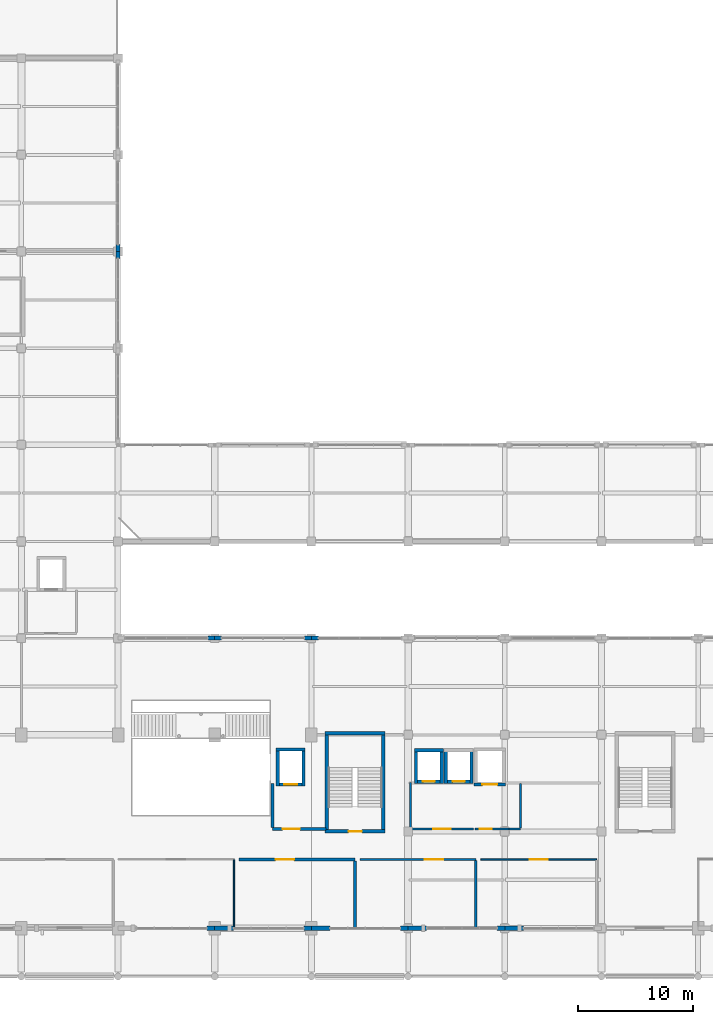
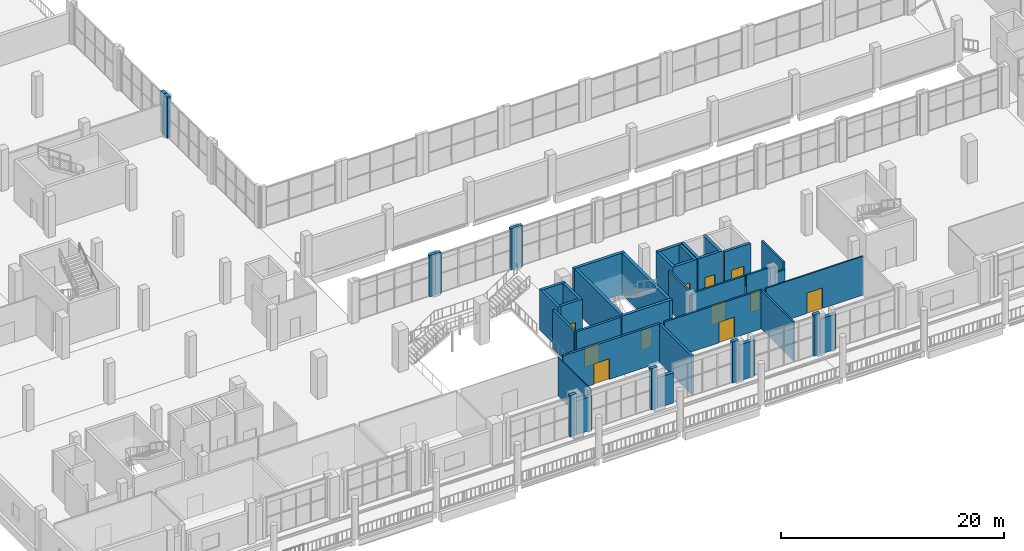
# One storey, part 59 of 75: 43 walls, 11 doors, 11 openings.
"""IFC4 building model written with IfcOpenShell, lengths in metres."""

from ifc_helpers import new_model, si_unit, derived_unit, direction, frame, frame_2d, origin, place, context, subcontext, project, spatial, rectangle, extrude, material, layer, layer_set, type_object, element, fill, save


model = new_model("IFC4")

# Units and contexts
model_context = context("Model", 3, precision=1e-05, world=origin(), true_north=direction((0.0, 1.0)))
body_context = subcontext(model_context, "Body", "Model", "MODEL_VIEW")
ifc_project = project(units=[si_unit("LENGTHUNIT", "METRE"), si_unit("AREAUNIT", "SQUARE_METRE"), si_unit("VOLUMEUNIT", "CUBIC_METRE"), si_unit("PLANEANGLEUNIT", "RADIAN"), si_unit("MASSUNIT", "GRAM", prefix="KILO"), derived_unit("THERMALTRANSMITTANCEUNIT", [(si_unit("POWERUNIT", "WATT"), 1), (si_unit("LENGTHUNIT", "METRE"), -2), (si_unit("THERMODYNAMICTEMPERATUREUNIT", "KELVIN"), -1)])], contexts=[model_context])

# Site, building, storey
site_placement = place(None, origin())
site = spatial("IfcSite", under=ifc_project, at=site_placement, CompositionType="ELEMENT")
building_placement = place(site_placement, origin())
building = spatial("IfcBuilding", under=site, at=building_placement, Name="Barrovel Congress Hotel", CompositionType="ELEMENT")
storey_placement = place(building_placement, frame((0.0, 0.0, 5.39990234375)))
storey = spatial("IfcBuildingStorey", under=building, at=storey_placement, Name="L01", CompositionType="ELEMENT", Elevation=5.39990234375)

# Walls
ifc_material_1 = material(Name="Fired Clay Brick Masonry", Category="masonry")
ifc_layer_1 = layer(ifc_material_1, 0.340087890625)
ifc_layer_set_1 = layer_set([ifc_layer_1], Name="Fired Clay Brick Masonry")
wall_type_1 = type_object("IfcWallType", Name="EW-BRK340", PredefinedType="STANDARD", material=ifc_layer_set_1)
wall_1_placement = place(storey_placement, frame((76.199951171875, 29.39990234375, 0.0), z_axis=(0.0, 0.0, 1.0), x_axis=(-1.0, 0.0, 0.0)))
element("IfcWall", 1, at=wall_1_placement, inside=storey, type_object=wall_type_1, Name="EW:L01:CSJ-L:9", PredefinedType="STANDARD", context=body_context, shape_type="SweptSolid", body=[
    extrude(rectangle(XDim=0.599853515625, YDim=0.340087890625, at=frame_2d((0.2998046875, 0.0))), origin(), (0.0, 0.0, 1.0), 4.5),
])
for number, where, z_axis, x_axis, name in (
    (2, (75.60009765625, 29.39990234375, 0.0), (0.0, 0.0, 1.0), (-1.0, 0.0, 0.0), "EW:L01:CSJ-R:8"),
    (3, (67.800048828125, 29.39990234375, 0.0), (0.0, 0.0, 1.0), (-1.0, 0.0, 0.0), "EW:L01:CSJ-L:8"),
):
    element("IfcWall", number, at=place(storey_placement, frame(where, z_axis=z_axis, x_axis=x_axis)), inside=storey, type_object=wall_type_1, Name=name, PredefinedType="STANDARD", context=body_context, shape_type="SweptSolid", body=[
        extrude(rectangle(XDim=0.60009765625, YDim=0.340087890625, at=frame_2d((0.300048828125, 0.0))), origin(), (0.0, 0.0, 1.0), 4.5),
    ])
wall_2_placement = place(storey_placement, frame((67.199951171875, 29.39990234375, 0.0), z_axis=(0.0, 0.0, 1.0), x_axis=(-1.0, 0.0, 0.0)))
element("IfcWall", 4, at=wall_2_placement, inside=storey, type_object=wall_type_1, Name="EW:L01:CSJ-R:7", PredefinedType="STANDARD", context=body_context, shape_type="SweptSolid", body=[
    extrude(rectangle(XDim=0.599853515625, YDim=0.340087890625, at=frame_2d((0.2998046875, 0.0))), origin(), (0.0, 0.0, 1.0), 4.5),
])
for number, where, z_axis, x_axis, name in (
    (5, (58.800048828125, 62.39990234375, 0.0), (0.0, 0.0, 1.0), (0.0, 1.0, 0.0), "EW:L01:CWJ-B:54.6"),
    (6, (58.800048828125, 63.0, 0.0), (0.0, 0.0, 1.0), (0.0, 1.0, 0.0), "EW:L01:CWJ-A:63.0"),
):
    element("IfcWall", number, at=place(storey_placement, frame(where, z_axis=z_axis, x_axis=x_axis)), inside=storey, type_object=wall_type_1, Name=name, PredefinedType="STANDARD", context=body_context, shape_type="SweptSolid", body=[
        extrude(rectangle(XDim=0.60009765625, YDim=0.340087890625, at=frame_2d((0.300048828125, 0.0))), origin(), (0.0, 0.0, 1.0), 4.5),
    ])
ifc_layer_2 = layer(ifc_material_1, 0.360107421875)
ifc_layer_set_2 = layer_set([ifc_layer_2], Name="Fired Clay Brick Masonry")
wall_type_2 = type_object("IfcWallType", Name="EW-BRK360", PredefinedType="STANDARD", material=ifc_layer_set_2)
wall_3_placement = place(storey_placement, frame((66.5400390625, 4.199951171875, 0.0), z_axis=(0.0, 0.0, 1.0), x_axis=(1.0, 0.0, 0.0)))
element("IfcWall", 7, at=wall_3_placement, inside=storey, type_object=wall_type_2, Name="EW:L01:SJ-R:7", PredefinedType="STANDARD", context=body_context, shape_type="SweptSolid", body=[
    extrude(rectangle(XDim=0.659912109375, YDim=0.360107421875, at=frame_2d((0.330078125, 0.0))), origin(), (0.0, 0.0, 1.0), 4.5),
])
wall_4_placement = place(storey_placement, frame((67.199951171875, 4.199951171875, 0.0), z_axis=(0.0, 0.0, 1.0), x_axis=(1.0, 0.0, 0.0)))
element("IfcWall", 8, at=wall_4_placement, inside=storey, type_object=wall_type_2, Name="EW:L01:SJ-L:8", PredefinedType="STANDARD", context=body_context, shape_type="SweptSolid", body=[
    extrude(rectangle(XDim=1.6201171875, YDim=0.360107421875, at=frame_2d((0.81005859375, 0.0))), origin(), (0.0, 0.0, 1.0), 3.711181640625),
])
wall_5_placement = place(storey_placement, frame((74.93994140625, 4.199951171875, 0.0), z_axis=(0.0, 0.0, 1.0), x_axis=(1.0, 0.0, 0.0)))
element("IfcWall", 9, at=wall_5_placement, inside=storey, type_object=wall_type_2, Name="EW:L01:SJ-R:8", PredefinedType="STANDARD", context=body_context, shape_type="SweptSolid", body=[
    extrude(rectangle(XDim=0.66015625, YDim=0.360107421875, at=frame_2d((0.330078125, 0.0))), origin(), (0.0, 0.0, 1.0), 4.5),
])
wall_6_placement = place(storey_placement, frame((75.60009765625, 4.199951171875, 0.0), z_axis=(0.0, 0.0, 1.0), x_axis=(1.0, 0.0, 0.0)))
element("IfcWall", 10, at=wall_6_placement, inside=storey, type_object=wall_type_2, Name="EW:L01:SJ-L:9", PredefinedType="STANDARD", context=body_context, shape_type="SweptSolid", body=[
    extrude(rectangle(XDim=1.619873046875, YDim=0.360107421875, at=frame_2d((0.81005859375, 0.0))), origin(), (0.0, 0.0, 1.0), 3.2900390625),
])
wall_7_placement = place(storey_placement, frame((83.340087890625, 4.199951171875, 0.0), z_axis=(0.0, 0.0, 1.0), x_axis=(1.0, 0.0, 0.0)))
element("IfcWall", 11, at=wall_7_placement, inside=storey, type_object=wall_type_2, Name="EW:L01:SJ-R:9", PredefinedType="STANDARD", context=body_context, shape_type="SweptSolid", body=[
    extrude(rectangle(XDim=0.659912109375, YDim=0.360107421875, at=frame_2d((0.330078125, 0.0))), origin(), (0.0, 0.0, 1.0), 4.5),
])
wall_8_placement = place(storey_placement, frame((84.0, 4.199951171875, 0.0), z_axis=(0.0, 0.0, 1.0), x_axis=(1.0, 0.0, 0.0)))
element("IfcWall", 12, at=wall_8_placement, inside=storey, type_object=wall_type_2, Name="EW:L01:SJ-L:10", PredefinedType="STANDARD", context=body_context, shape_type="SweptSolid", body=[
    extrude(rectangle(XDim=1.6201171875, YDim=0.360107421875, at=frame_2d((0.81005859375, 0.0))), origin(), (0.0, 0.0, 1.0), 3.93017578125),
])
wall_9_placement = place(storey_placement, frame((91.739990234375, 4.199951171875, 0.0), z_axis=(0.0, 0.0, 1.0), x_axis=(1.0, 0.0, 0.0)))
element("IfcWall", 13, at=wall_9_placement, inside=storey, type_object=wall_type_2, Name="EW:L01:SJ-R:10", PredefinedType="STANDARD", context=body_context, shape_type="SweptSolid", body=[
    extrude(rectangle(XDim=0.659912109375, YDim=0.360107421875, at=frame_2d((0.330078125, 0.0))), origin(), (0.0, 0.0, 1.0), 4.5),
])
wall_10_placement = place(storey_placement, frame((92.39990234375, 4.199951171875, 0.0), z_axis=(0.0, 0.0, 1.0), x_axis=(1.0, 0.0, 0.0)))
element("IfcWall", 14, at=wall_10_placement, inside=storey, type_object=wall_type_2, Name="EW:L01:SJ-L:11", PredefinedType="STANDARD", context=body_context, shape_type="SweptSolid", body=[
    extrude(rectangle(XDim=1.6201171875, YDim=0.360107421875, at=frame_2d((0.81005859375, 0.0))), origin(), (0.0, 0.0, 1.0), 3.830078125),
])

# Wall, opening, door
ifc_material_2 = material(Name="Gypsum Acoustic Stud", Category="gypsum")
ifc_layer_3 = layer(ifc_material_2, 0.179931640625)
ifc_layer_set_3 = layer_set([ifc_layer_3], Name="Gypsum Acoustic Stud")
wall_type_3 = type_object("IfcWallType", Name="PW-ACU-180", PredefinedType="PARTITIONING", material=ifc_layer_set_3)
wall_11_placement = place(storey_placement, frame((84.219970703125, 12.820068359375, 0.0), z_axis=(0.0, 0.0, 1.0), x_axis=(1.0, 0.0, 0.0)))
wall_11 = element("IfcWall", 15, at=wall_11_placement, inside=storey, type_object=wall_type_3, Name="RW:SP:L01:LL-C2:S", PredefinedType="PARTITIONING", context=body_context, shape_type="SweptSolid", body=[
    extrude(rectangle(XDim=5.4599609375, YDim=0.179931640625, at=frame_2d((2.72998046875, 0.0))), origin(), (0.0, 0.0, 1.0), 4.235107421875),
])
opening_1_placement = place(wall_11_placement, frame((1.97998046875, 0.0, 0.0)))
opening_1 = element("IfcOpeningElement", 16, at=opening_1_placement, cuts=wall_11, Name="Opening ID-FFL", PredefinedType="OPENING", context=body_context, shape_type="SweptSolid", body=[
    extrude(rectangle(XDim=1.5, YDim=2.14990234375, at=frame_2d((0.75, 1.074951171875))), frame((0.0, 0.10009765625, 0.0), z_axis=(0.0, -1.0, 0.0), x_axis=(1.0, 0.0, 0.0)), (0.0, 0.0, 1.0), 0.199951171875),
])
ifc_material_3 = material(Name="Painted Hollow-Metal Steel Door", Category="steel")
door_type_1 = type_object("IfcDoorType", Name="IDR-ID-FFL", OperationType="NOTDEFINED", PredefinedType="DOOR", material=ifc_material_3)
door_1_placement = place(opening_1_placement, origin())
door_1 = element("IfcDoor", 17, at=door_1_placement, inside=storey, type_object=door_type_1, Name="RD:SP:L01:LL-C2", OperationType="DOUBLE_DOOR_SINGLE_SWING", OverallHeight=2.14990234375, OverallWidth=1.5, PredefinedType="DOOR", context=body_context, shape_type="SweptSolid", body=[
    extrude(rectangle(XDim=1.5, YDim=2.14990234375, at=frame_2d((0.75, 1.074951171875))), frame((0.0, 0.02490234375, 0.0), z_axis=(0.0, -1.0, 0.0), x_axis=(1.0, 0.0, 0.0)), (0.0, 0.0, 1.0), 0.050048828125),
])
fill(opening_1, door_1)

# Wall
wall_12_placement = place(storey_placement, frame((84.219970703125, 12.909912109375, 0.0), z_axis=(0.0, 0.0, 1.0), x_axis=(0.0, 1.0, 0.0)))
element("IfcWall", 18, at=wall_12_placement, inside=storey, type_object=wall_type_3, Name="RW:SP:L01:LL-C2:W", PredefinedType="PARTITIONING", context=body_context, shape_type="SweptSolid", body=[
    extrude(rectangle(XDim=3.969970703125, YDim=0.179931640625, at=frame_2d((1.98486328125, 0.0))), origin(), (0.0, 0.0, 1.0), 4.235107421875),
])

# Wall, opening, door
wall_13_placement = place(storey_placement, frame((89.820068359375, 12.820068359375, 0.0), z_axis=(0.0, 0.0, 1.0), x_axis=(1.0, 0.0, 0.0)))
wall_13 = element("IfcWall", 19, at=wall_13_placement, inside=storey, type_object=wall_type_3, Name="RW:SP:L01:LL-SL2:S", PredefinedType="PARTITIONING", context=body_context, shape_type="SweptSolid", body=[
    extrude(rectangle(XDim=2.954833984375, YDim=0.179931640625, at=frame_2d((1.4775390625, 0.0))), origin(), (0.0, 0.0, 1.0), 4.235107421875),
])
opening_2_placement = place(wall_13_placement, frame((0.419921875, 0.0, 0.0)))
opening_2 = element("IfcOpeningElement", 20, at=opening_2_placement, cuts=wall_13, Name="Opening ID-ACC", PredefinedType="OPENING", context=body_context, shape_type="SweptSolid", body=[
    extrude(rectangle(XDim=1.02001953125, YDim=2.14990234375, at=frame_2d((0.510009765625, 1.074951171875))), frame((0.0, 0.10009765625, 0.0), z_axis=(0.0, -1.0, 0.0), x_axis=(1.0, 0.0, 0.0)), (0.0, 0.0, 1.0), 0.199951171875),
])
ifc_material_4 = material(Name="Solid Oak Acoustic Timber Door", Category="wood")
door_type_2 = type_object("IfcDoorType", Name="IDR-ID-ACC", OperationType="NOTDEFINED", PredefinedType="DOOR", material=ifc_material_4)
door_2_placement = place(opening_2_placement, origin())
door_2 = element("IfcDoor", 21, at=door_2_placement, inside=storey, type_object=door_type_2, Name="RD:SP:L01:LL-SL2", OperationType="SINGLE_SWING_RIGHT", OverallHeight=2.14990234375, OverallWidth=1.02001953125, PredefinedType="DOOR", context=body_context, shape_type="SweptSolid", body=[
    extrude(rectangle(XDim=1.02001953125, YDim=2.14990234375, at=frame_2d((0.510009765625, 1.074951171875))), frame((0.0, 0.02490234375, 0.0), z_axis=(0.0, -1.0, 0.0), x_axis=(1.0, 0.0, 0.0)), (0.0, 0.0, 1.0), 0.050048828125),
])
fill(opening_2, door_2)

# Wall
wall_14_placement = place(storey_placement, frame((93.780029296875, 12.909912109375, 0.0), z_axis=(0.0, 0.0, 1.0), x_axis=(0.0, 1.0, 0.0)))
element("IfcWall", 22, at=wall_14_placement, inside=storey, type_object=wall_type_3, Name="RW:SP:L01:LL-SL2:E", PredefinedType="PARTITIONING", context=body_context, shape_type="SweptSolid", body=[
    extrude(rectangle(XDim=3.8701171875, YDim=0.179931640625, at=frame_2d((1.93505859375, 0.0))), origin(), (0.0, 0.0, 1.0), 4.235107421875),
])

# Wall, opening, door
wall_15_placement = place(storey_placement, frame((79.820068359375, 10.179931640625, 0.0), z_axis=(0.0, 0.0, 1.0), x_axis=(1.0, 0.0, 0.0)))
wall_15 = element("IfcWall", 23, at=wall_15_placement, inside=storey, type_object=wall_type_3, Name="RW:SP:L01:BM-07:N", PredefinedType="PARTITIONING", context=body_context, shape_type="SweptSolid", body=[
    extrude(rectangle(XDim=10.059814453125, YDim=0.179931640625, at=frame_2d((5.02978515625, 0.0))), origin(), (0.0, 0.0, 1.0), 4.235107421875),
])
opening_3_placement = place(wall_15_placement, frame((5.6298828125, 0.0, 0.0)))
opening_3 = element("IfcOpeningElement", 24, at=opening_3_placement, cuts=wall_15, Name="Opening ID-MTG", PredefinedType="OPENING", context=body_context, shape_type="SweptSolid", body=[
    extrude(rectangle(XDim=1.60009765625, YDim=2.25, at=frame_2d((0.800048828125, 1.125))), frame((0.0, 0.10009765625, 0.0), z_axis=(0.0, -1.0, 0.0), x_axis=(1.0, 0.0, 0.0)), (0.0, 0.0, 1.0), 0.199951171875),
])
door_type_3 = type_object("IfcDoorType", Name="IDR-ID-MTG", OperationType="NOTDEFINED", PredefinedType="DOOR", material=ifc_material_4)
door_3_placement = place(opening_3_placement, origin())
door_3 = element("IfcDoor", 25, at=door_3_placement, inside=storey, type_object=door_type_3, Name="RD:SP:L01:BM-07", OperationType="DOUBLE_DOOR_SINGLE_SWING", OverallHeight=2.25, OverallWidth=1.60009765625, PredefinedType="DOOR", context=body_context, shape_type="SweptSolid", body=[
    extrude(rectangle(XDim=1.60009765625, YDim=2.25, at=frame_2d((0.800048828125, 1.125))), frame((0.0, 0.02490234375, 0.0), z_axis=(0.0, -1.0, 0.0), x_axis=(1.0, 0.0, 0.0)), (0.0, 0.0, 1.0), 0.050048828125),
])
fill(opening_3, door_3)

# Walls
wall_16_placement = place(storey_placement, frame((89.8798828125, 4.280029296875, 0.0), z_axis=(0.0, 0.0, 1.0), x_axis=(0.0, 1.0, 0.0)))
element("IfcWall", 26, at=wall_16_placement, inside=storey, type_object=wall_type_3, Name="RW:SP:L01:BM-07:E", PredefinedType="PARTITIONING", context=body_context, shape_type="SweptSolid", body=[
    extrude(rectangle(XDim=5.81005859375, YDim=0.179931640625, at=frame_2d((2.905029296875, 0.0))), origin(), (0.0, 0.0, 1.0), 4.235107421875),
])
wall_17_placement = place(storey_placement, frame((92.77490234375, 12.820068359375, 0.0), z_axis=(0.0, 0.0, 1.0), x_axis=(1.0, 0.0, 0.0)))
element("IfcWall", 27, at=wall_17_placement, inside=storey, type_object=wall_type_3, Name="RW:SP:L01:LL-SL2:S:P02", PredefinedType="PARTITIONING", context=body_context, shape_type="SweptSolid", body=[
    extrude(rectangle(XDim=1.005126953125, YDim=0.179931640625, at=frame_2d((0.50244140625, 0.0))), origin(), (0.0, 0.0, 1.0), 3.489990234375),
])
ifc_layer_4 = layer(ifc_material_2, 0.10009765625)
ifc_layer_set_4 = layer_set([ifc_layer_4], Name="Gypsum Acoustic Stud")
wall_type_4 = type_object("IfcWallType", Name="PW-LGT-100", PredefinedType="PARTITIONING", material=ifc_layer_set_4)
wall_18_placement = place(storey_placement, frame((68.8798828125, 4.280029296875, 0.0), z_axis=(0.0, 0.0, 1.0), x_axis=(0.0, 1.0, 0.0)))
element("IfcWall", 28, at=wall_18_placement, inside=storey, type_object=wall_type_4, Name="RW:SP:L01:BM-05:E", PredefinedType="PARTITIONING", context=body_context, shape_type="SweptSolid", body=[
    extrude(rectangle(XDim=5.849853515625, YDim=0.10009765625, at=frame_2d((2.9248046875, 0.0))), origin(), (0.0, 0.0, 1.0), 4.235107421875),
])

# Wall, opening, door
ifc_layer_5 = layer(ifc_material_1, 0.239990234375)
ifc_layer_set_5 = layer_set([ifc_layer_5], Name="Fired Clay Brick Masonry")
wall_type_5 = type_object("IfcWallType", Name="PW-MAS-240", PredefinedType="PARTITIONING", material=ifc_layer_set_5)
wall_19_placement = place(storey_placement, frame((72.219970703125, 12.820068359375, 0.0), z_axis=(0.0, 0.0, 1.0), x_axis=(1.0, 0.0, 0.0)))
wall_19 = element("IfcWall", 29, at=wall_19_placement, inside=storey, type_object=wall_type_5, Name="RW:SP:L01:FFL-2:S", PredefinedType="PARTITIONING", context=body_context, shape_type="SweptSolid", body=[
    extrude(rectangle(XDim=4.659912109375, YDim=0.239990234375, at=frame_2d((2.330078125, 0.0))), origin(), (0.0, 0.0, 1.0), 4.235107421875),
])
opening_4_placement = place(wall_19_placement, frame((0.8798828125, 0.0, 0.0)))
opening_4 = element("IfcOpeningElement", 30, at=opening_4_placement, cuts=wall_19, Name="Opening ID-FFL", PredefinedType="OPENING", context=body_context, shape_type="SweptSolid", body=[
    extrude(rectangle(XDim=1.5, YDim=2.14990234375, at=frame_2d((0.75, 1.074951171875))), frame((0.0, 0.1298828125, 0.0), z_axis=(0.0, -1.0, 0.0), x_axis=(1.0, 0.0, 0.0)), (0.0, 0.0, 1.0), 0.260009765625),
])
door_4_placement = place(opening_4_placement, origin())
door_4 = element("IfcDoor", 31, at=door_4_placement, inside=storey, type_object=door_type_1, Name="RD:SP:L01:FFL-2", OperationType="DOUBLE_DOOR_SINGLE_SWING", OverallHeight=2.14990234375, OverallWidth=1.5, PredefinedType="DOOR", context=body_context, shape_type="SweptSolid", body=[
    extrude(rectangle(XDim=1.5, YDim=2.14990234375, at=frame_2d((0.75, 1.074951171875))), frame((0.0, 0.02490234375, 0.0), z_axis=(0.0, -1.0, 0.0), x_axis=(1.0, 0.0, 0.0)), (0.0, 0.0, 1.0), 0.050048828125),
])
fill(opening_4, door_4)

# Wall
wall_20_placement = place(storey_placement, frame((72.219970703125, 12.93994140625, 0.0), z_axis=(0.0, 0.0, 1.0), x_axis=(0.0, 1.0, 0.0)))
element("IfcWall", 32, at=wall_20_placement, inside=storey, type_object=wall_type_5, Name="RW:SP:L01:FFL-2:W", PredefinedType="PARTITIONING", context=body_context, shape_type="SweptSolid", body=[
    extrude(rectangle(XDim=3.840087890625, YDim=0.239990234375, at=frame_2d((1.919921875, 0.0))), origin(), (0.0, 0.0, 1.0), 4.235107421875),
])

# Wall, opening, door
wall_21_placement = place(storey_placement, frame((69.320068359375, 10.179931640625, 0.0), z_axis=(0.0, 0.0, 1.0), x_axis=(1.0, 0.0, 0.0)))
wall_21 = element("IfcWall", 33, at=wall_21_placement, inside=storey, type_object=wall_type_5, Name="RW:SP:L01:BM-06:N", PredefinedType="PARTITIONING", context=body_context, shape_type="SweptSolid", body=[
    extrude(rectangle(XDim=10.059814453125, YDim=0.239990234375, at=frame_2d((5.02978515625, 0.0))), origin(), (0.0, 0.0, 1.0), 4.235107421875),
])
opening_5_placement = place(wall_21_placement, frame((3.179931640625, 0.0, 0.0)))
opening_5 = element("IfcOpeningElement", 34, at=opening_5_placement, cuts=wall_21, Name="Opening ID-MTG", PredefinedType="OPENING", context=body_context, shape_type="SweptSolid", body=[
    extrude(rectangle(XDim=1.60009765625, YDim=2.25, at=frame_2d((0.800048828125, 1.125))), frame((0.0, 0.1298828125, 0.0), z_axis=(0.0, -1.0, 0.0), x_axis=(1.0, 0.0, 0.0)), (0.0, 0.0, 1.0), 0.260009765625),
])
door_5_placement = place(opening_5_placement, origin())
door_5 = element("IfcDoor", 35, at=door_5_placement, inside=storey, type_object=door_type_3, Name="RD:SP:L01:BM-06", OperationType="DOUBLE_DOOR_SINGLE_SWING", OverallHeight=2.25, OverallWidth=1.60009765625, PredefinedType="DOOR", context=body_context, shape_type="SweptSolid", body=[
    extrude(rectangle(XDim=1.60009765625, YDim=2.25, at=frame_2d((0.800048828125, 1.125))), frame((0.0, 0.02490234375, 0.0), z_axis=(0.0, -1.0, 0.0), x_axis=(1.0, 0.0, 0.0)), (0.0, 0.0, 1.0), 0.050048828125),
])
fill(opening_5, door_5)

# Wall
wall_22_placement = place(storey_placement, frame((79.3798828125, 4.280029296875, 0.0), z_axis=(0.0, 0.0, 1.0), x_axis=(0.0, 1.0, 0.0)))
element("IfcWall", 36, at=wall_22_placement, inside=storey, type_object=wall_type_5, Name="RW:SP:L01:BM-06:E", PredefinedType="PARTITIONING", context=body_context, shape_type="SweptSolid", body=[
    extrude(rectangle(XDim=5.780029296875, YDim=0.239990234375, at=frame_2d((2.89013671875, 0.0))), origin(), (0.0, 0.0, 1.0), 4.235107421875),
])

# Wall, opening, door
ifc_layer_6 = layer(ifc_material_2, 0.14990234375)
ifc_layer_set_6 = layer_set([ifc_layer_6], Name="Gypsum Acoustic Stud")
wall_type_6 = type_object("IfcWallType", Name="PW-STD-150", PredefinedType="PARTITIONING", material=ifc_layer_set_6)
wall_23_placement = place(storey_placement, frame((90.320068359375, 10.179931640625, 0.0), z_axis=(0.0, 0.0, 1.0), x_axis=(1.0, 0.0, 0.0)))
wall_23 = element("IfcWall", 37, at=wall_23_placement, inside=storey, type_object=wall_type_6, Name="RW:SP:L01:BM-08:N", PredefinedType="PARTITIONING", context=body_context, shape_type="SweptSolid", body=[
    extrude(rectangle(XDim=10.059814453125, YDim=0.14990234375, at=frame_2d((5.02978515625, 0.0))), origin(), (0.0, 0.0, 1.0), 4.235107421875),
])
opening_6_placement = place(wall_23_placement, frame((4.22998046875, 0.0, 0.0)))
opening_6 = element("IfcOpeningElement", 38, at=opening_6_placement, cuts=wall_23, Name="Opening ID-MTG", PredefinedType="OPENING", context=body_context, shape_type="SweptSolid", body=[
    extrude(rectangle(XDim=1.60009765625, YDim=2.25, at=frame_2d((0.800048828125, 1.125))), frame((0.0, 0.0849609375, 0.0), z_axis=(0.0, -1.0, 0.0), x_axis=(1.0, 0.0, 0.0)), (0.0, 0.0, 1.0), 0.169921875),
])
door_6_placement = place(opening_6_placement, origin())
door_6 = element("IfcDoor", 39, at=door_6_placement, inside=storey, type_object=door_type_3, Name="RD:SP:L01:BM-08", OperationType="DOUBLE_DOOR_SINGLE_SWING", OverallHeight=2.25, OverallWidth=1.60009765625, PredefinedType="DOOR", context=body_context, shape_type="SweptSolid", body=[
    extrude(rectangle(XDim=1.60009765625, YDim=2.25, at=frame_2d((0.800048828125, 1.125))), frame((0.0, 0.02490234375, 0.0), z_axis=(0.0, -1.0, 0.0), x_axis=(1.0, 0.0, 0.0)), (0.0, 0.0, 1.0), 0.050048828125),
])
fill(opening_6, door_6)

ifc_material_5 = material(Name="Concrete C40", Category="concrete")
ifc_layer_7 = layer(ifc_material_5, 0.280029296875)
ifc_layer_set_7 = layer_set([ifc_layer_7], Name="Concrete C40")
wall_type_7 = type_object("IfcWallType", Name="SW-C40-280", PredefinedType="SHEAR", material=ifc_layer_set_7)
wall_24_placement = place(storey_placement, frame((72.5400390625, 16.679931640625, 0.0), z_axis=(0.0, 0.0, 1.0), x_axis=(1.0, 0.0, 0.0)))
wall_24 = element("IfcWall", 40, at=wall_24_placement, inside=storey, type_object=wall_type_7, Name="LSH:FL-2:L01:S", PredefinedType="SHEAR", context=body_context, shape_type="SweptSolid", body=[
    extrude(rectangle(XDim=2.52001953125, YDim=0.280029296875, at=frame_2d((1.260009765625, 0.0))), origin(), (0.0, 0.0, 1.0), 4.5),
])
opening_7_placement = place(wall_24_placement, frame((0.7099609375, 0.0, 0.0)))
opening_7 = element("IfcOpeningElement", 41, at=opening_7_placement, cuts=wall_24, Name="Opening LD-FF", PredefinedType="OPENING", context=body_context, shape_type="SweptSolid", body=[
    extrude(rectangle(XDim=1.10009765625, YDim=2.199951171875, at=frame_2d((0.550048828125, 1.10009765625))), frame((0.0, 0.14990234375, 0.0), z_axis=(0.0, -1.0, 0.0), x_axis=(1.0, 0.0, 0.0)), (0.0, 0.0, 1.0), 0.300048828125),
])
ifc_material_6 = material(Name="Brushed Stainless Steel", Category="steel")
door_type_4 = type_object("IfcDoorType", Name="IDR-LD-FF", OperationType="NOTDEFINED", PredefinedType="DOOR", material=ifc_material_6)
door_7_placement = place(opening_7_placement, origin())
door_7 = element("IfcDoor", 42, at=door_7_placement, inside=storey, type_object=door_type_4, Name="Lift Landing Door LD-FL-2-L01", OperationType="SLIDING_TO_LEFT", OverallHeight=2.199951171875, OverallWidth=1.10009765625, PredefinedType="DOOR", context=body_context, shape_type="SweptSolid", body=[
    extrude(rectangle(XDim=1.10009765625, YDim=2.199951171875, at=frame_2d((0.550048828125, 1.10009765625))), frame((0.0, 0.02490234375, 0.0), z_axis=(0.0, -1.0, 0.0), x_axis=(1.0, 0.0, 0.0)), (0.0, 0.0, 1.0), 0.050048828125),
])
fill(opening_7, door_7)

# Walls
wall_25_placement = place(storey_placement, frame((74.919921875, 16.5400390625, 0.0), z_axis=(0.0, 0.0, 1.0), x_axis=(0.0, 1.0, 0.0)))
element("IfcWall", 43, at=wall_25_placement, inside=storey, type_object=wall_type_7, Name="LSH:FL-2:L01:E", PredefinedType="SHEAR", context=body_context, shape_type="SweptSolid", body=[
    extrude(rectangle(XDim=3.320068359375, YDim=0.280029296875, at=frame_2d((1.66015625, 0.0))), origin(), (0.0, 0.0, 1.0), 4.5),
])
wall_26_placement = place(storey_placement, frame((75.06005859375, 19.719970703125, 0.0), z_axis=(0.0, 0.0, 1.0), x_axis=(-1.0, 0.0, 0.0)))
element("IfcWall", 44, at=wall_26_placement, inside=storey, type_object=wall_type_7, Name="LSH:FL-2:L01:N", PredefinedType="SHEAR", context=body_context, shape_type="SweptSolid", body=[
    extrude(rectangle(XDim=2.52001953125, YDim=0.280029296875, at=frame_2d((1.260009765625, 0.0))), origin(), (0.0, 0.0, 1.0), 4.5),
])
wall_27_placement = place(storey_placement, frame((72.679931640625, 19.860107421875, 0.0), z_axis=(0.0, 0.0, 1.0), x_axis=(0.0, -1.0, 0.0)))
element("IfcWall", 45, at=wall_27_placement, inside=storey, type_object=wall_type_7, Name="LSH:FL-2:L01:W", PredefinedType="SHEAR", context=body_context, shape_type="SweptSolid", body=[
    extrude(rectangle(XDim=3.320068359375, YDim=0.280029296875, at=frame_2d((1.66015625, 0.0))), origin(), (0.0, 0.0, 1.0), 4.5),
])

# Wall, opening, door
wall_28_placement = place(storey_placement, frame((84.5400390625, 16.929931640625, 0.0), z_axis=(0.0, 0.0, 1.0), x_axis=(1.0, 0.0, 0.0)))
wall_28 = element("IfcWall", 46, at=wall_28_placement, inside=storey, type_object=wall_type_7, Name="LSH:PL-3:L01:S", PredefinedType="SHEAR", context=body_context, shape_type="SweptSolid", body=[
    extrude(rectangle(XDim=2.52001953125, YDim=0.280029296875, at=frame_2d((1.260009765625, 0.0))), origin(), (0.0, 0.0, 1.0), 4.5),
])
opening_8_placement = place(wall_28_placement, frame((0.735107421875, 0.0, 0.0)))
opening_8 = element("IfcOpeningElement", 47, at=opening_8_placement, cuts=wall_28, Name="Opening LD-PAX", PredefinedType="OPENING", context=body_context, shape_type="SweptSolid", body=[
    extrude(rectangle(XDim=1.050048828125, YDim=2.199951171875, at=frame_2d((0.52490234375, 1.10009765625))), frame((0.0, 0.14990234375, 0.0), z_axis=(0.0, -1.0, 0.0), x_axis=(1.0, 0.0, 0.0)), (0.0, 0.0, 1.0), 0.300048828125),
])
door_type_5 = type_object("IfcDoorType", Name="IDR-LD-PAX", OperationType="NOTDEFINED", PredefinedType="DOOR", material=ifc_material_6)
door_8_placement = place(opening_8_placement, origin())
door_8 = element("IfcDoor", 48, at=door_8_placement, inside=storey, type_object=door_type_5, Name="Lift Landing Door LD-PL-3-L01", OperationType="SLIDING_TO_LEFT", OverallHeight=2.199951171875, OverallWidth=1.050048828125, PredefinedType="DOOR", context=body_context, shape_type="SweptSolid", body=[
    extrude(rectangle(XDim=1.050048828125, YDim=2.199951171875, at=frame_2d((0.52490234375, 1.10009765625))), frame((0.0, 0.02490234375, 0.0), z_axis=(0.0, -1.0, 0.0), x_axis=(1.0, 0.0, 0.0)), (0.0, 0.0, 1.0), 0.050048828125),
])
fill(opening_8, door_8)

# Walls
wall_29_placement = place(storey_placement, frame((86.919921875, 16.7900390625, 0.0), z_axis=(0.0, 0.0, 1.0), x_axis=(0.0, 1.0, 0.0)))
element("IfcWall", 49, at=wall_29_placement, inside=storey, type_object=wall_type_7, Name="LSH:PL-3:L01:E", PredefinedType="SHEAR", context=body_context, shape_type="SweptSolid", body=[
    extrude(rectangle(XDim=3.02001953125, YDim=0.280029296875, at=frame_2d((1.510009765625, 0.0))), origin(), (0.0, 0.0, 1.0), 4.5),
])
wall_30_placement = place(storey_placement, frame((87.06005859375, 19.669921875, 0.0), z_axis=(0.0, 0.0, 1.0), x_axis=(-1.0, 0.0, 0.0)))
element("IfcWall", 50, at=wall_30_placement, inside=storey, type_object=wall_type_7, Name="LSH:PL-3:L01:N", PredefinedType="SHEAR", context=body_context, shape_type="SweptSolid", body=[
    extrude(rectangle(XDim=2.52001953125, YDim=0.280029296875, at=frame_2d((1.260009765625, 0.0))), origin(), (0.0, 0.0, 1.0), 4.5),
])
wall_31_placement = place(storey_placement, frame((84.679931640625, 19.81005859375, 0.0), z_axis=(0.0, 0.0, 1.0), x_axis=(0.0, -1.0, 0.0)))
element("IfcWall", 51, at=wall_31_placement, inside=storey, type_object=wall_type_7, Name="LSH:PL-3:L01:W", PredefinedType="SHEAR", context=body_context, shape_type="SweptSolid", body=[
    extrude(rectangle(XDim=3.02001953125, YDim=0.280029296875, at=frame_2d((1.510009765625, 0.0))), origin(), (0.0, 0.0, 1.0), 4.5),
])

# Wall, opening, door
wall_32_placement = place(storey_placement, frame((87.139892578125, 16.929931640625, 0.0), z_axis=(0.0, 0.0, 1.0), x_axis=(1.0, 0.0, 0.0)))
wall_32 = element("IfcWall", 52, at=wall_32_placement, inside=storey, type_object=wall_type_7, Name="LSH:PL-4:L01:S", PredefinedType="SHEAR", context=body_context, shape_type="SweptSolid", body=[
    extrude(rectangle(XDim=2.52001953125, YDim=0.280029296875, at=frame_2d((1.260009765625, 0.0))), origin(), (0.0, 0.0, 1.0), 4.5),
])
opening_9_placement = place(wall_32_placement, frame((0.735107421875, 0.0, 0.0)))
opening_9 = element("IfcOpeningElement", 53, at=opening_9_placement, cuts=wall_32, Name="Opening LD-PAX", PredefinedType="OPENING", context=body_context, shape_type="SweptSolid", body=[
    extrude(rectangle(XDim=1.050048828125, YDim=2.199951171875, at=frame_2d((0.52490234375, 1.10009765625))), frame((0.0, 0.14990234375, 0.0), z_axis=(0.0, -1.0, 0.0), x_axis=(1.0, 0.0, 0.0)), (0.0, 0.0, 1.0), 0.300048828125),
])
door_9_placement = place(opening_9_placement, origin())
door_9 = element("IfcDoor", 54, at=door_9_placement, inside=storey, type_object=door_type_5, Name="Lift Landing Door LD-PL-4-L01", OperationType="SLIDING_TO_LEFT", OverallHeight=2.199951171875, OverallWidth=1.050048828125, PredefinedType="DOOR", context=body_context, shape_type="SweptSolid", body=[
    extrude(rectangle(XDim=1.050048828125, YDim=2.199951171875, at=frame_2d((0.52490234375, 1.10009765625))), frame((0.0, 0.02490234375, 0.0), z_axis=(0.0, -1.0, 0.0), x_axis=(1.0, 0.0, 0.0)), (0.0, 0.0, 1.0), 0.050048828125),
])
fill(opening_9, door_9)

# Walls
for number, where, z_axis, x_axis, name in (
    (55, (89.52001953125, 16.7900390625, 0.0), (0.0, 0.0, 1.0), (0.0, 1.0, 0.0), "LSH:PL-4:L01:E"),
    (56, (87.280029296875, 19.81005859375, 0.0), (0.0, 0.0, 1.0), (0.0, -1.0, 0.0), "LSH:PL-4:L01:W"),
):
    element("IfcWall", number, at=place(storey_placement, frame(where, z_axis=z_axis, x_axis=x_axis)), inside=storey, type_object=wall_type_7, Name=name, PredefinedType="SHEAR", context=body_context, shape_type="SweptSolid", body=[
        extrude(rectangle(XDim=3.02001953125, YDim=0.280029296875, at=frame_2d((1.510009765625, 0.0))), origin(), (0.0, 0.0, 1.0), 4.5),
    ])

# Wall, opening, door
wall_33_placement = place(storey_placement, frame((89.739990234375, 16.679931640625, 0.0), z_axis=(0.0, 0.0, 1.0), x_axis=(1.0, 0.0, 0.0)))
wall_33 = element("IfcWall", 57, at=wall_33_placement, inside=storey, type_object=wall_type_7, Name="LSH:SL-2:L01:S", PredefinedType="SHEAR", context=body_context, shape_type="SweptSolid", body=[
    extrude(rectangle(XDim=2.719970703125, YDim=0.280029296875, at=frame_2d((1.35986328125, 0.0))), origin(), (0.0, 0.0, 1.0), 4.5),
])
opening_10_placement = place(wall_33_placement, frame((0.7099609375, 0.0, 0.0)))
opening_10 = element("IfcOpeningElement", 58, at=opening_10_placement, cuts=wall_33, Name="Opening LD-SRV", PredefinedType="OPENING", context=body_context, shape_type="SweptSolid", body=[
    extrude(rectangle(XDim=1.300048828125, YDim=2.25, at=frame_2d((0.64990234375, 1.125))), frame((0.0, 0.14990234375, 0.0), z_axis=(0.0, -1.0, 0.0), x_axis=(1.0, 0.0, 0.0)), (0.0, 0.0, 1.0), 0.300048828125),
])
door_type_6 = type_object("IfcDoorType", Name="IDR-LD-SRV", OperationType="NOTDEFINED", PredefinedType="DOOR", material=ifc_material_6)
door_10_placement = place(opening_10_placement, origin())
door_10 = element("IfcDoor", 59, at=door_10_placement, inside=storey, type_object=door_type_6, Name="Lift Landing Door LD-SL-2-L01", OperationType="SLIDING_TO_LEFT", OverallHeight=2.25, OverallWidth=1.300048828125, PredefinedType="DOOR", context=body_context, shape_type="SweptSolid", body=[
    extrude(rectangle(XDim=1.300048828125, YDim=2.25, at=frame_2d((0.64990234375, 1.125))), frame((0.0, 0.02490234375, 0.0), z_axis=(0.0, -1.0, 0.0), x_axis=(1.0, 0.0, 0.0)), (0.0, 0.0, 1.0), 0.050048828125),
])
fill(opening_10, door_10)

ifc_layer_8 = layer(ifc_material_5, 0.300048828125)
ifc_layer_set_8 = layer_set([ifc_layer_8], Name="Concrete C40")
wall_type_8 = type_object("IfcWallType", Name="SW-C40-300", PredefinedType="SHEAR", material=ifc_layer_set_8)
wall_34_placement = place(storey_placement, frame((76.800048828125, 12.610107421875, 0.0), z_axis=(0.0, 0.0, 1.0), x_axis=(1.0, 0.0, 0.0)))
wall_34 = element("IfcWall", 60, at=wall_34_placement, inside=storey, type_object=wall_type_8, Name="SHW:XS-02:L01:S", PredefinedType="SHEAR", context=body_context, shape_type="SweptSolid", body=[
    extrude(rectangle(XDim=5.199951171875, YDim=0.300048828125, at=frame_2d((2.60009765625, 0.0))), origin(), (0.0, 0.0, 1.0), 4.5),
])
opening_11_placement = place(wall_34_placement, frame((2.02490234375, 0.0, 0.0)))
opening_11 = element("IfcOpeningElement", 61, at=opening_11_placement, cuts=wall_34, Name="Opening ID-ST1", PredefinedType="OPENING", context=body_context, shape_type="SweptSolid", body=[
    extrude(rectangle(XDim=1.14990234375, YDim=2.14990234375, at=frame_2d((0.574951171875, 1.074951171875))), frame((0.0, 0.16015625, 0.0), z_axis=(0.0, -1.0, 0.0), x_axis=(1.0, 0.0, 0.0)), (0.0, 0.0, 1.0), 0.320068359375),
])
door_type_7 = type_object("IfcDoorType", Name="IDR-ID-ST1", OperationType="NOTDEFINED", PredefinedType="DOOR", material=ifc_material_3)
door_11_placement = place(opening_11_placement, origin())
door_11 = element("IfcDoor", 62, at=door_11_placement, inside=storey, type_object=door_type_7, Name="Stair Core Fire Door XS-02-L01", OperationType="SINGLE_SWING_RIGHT", OverallHeight=2.14990234375, OverallWidth=1.14990234375, PredefinedType="DOOR", context=body_context, shape_type="SweptSolid", body=[
    extrude(rectangle(XDim=1.14990234375, YDim=2.14990234375, at=frame_2d((0.574951171875, 1.074951171875))), frame((0.0, 0.02490234375, 0.0), z_axis=(0.0, -1.0, 0.0), x_axis=(1.0, 0.0, 0.0)), (0.0, 0.0, 1.0), 0.050048828125),
])
fill(opening_11, door_11)

# Walls
wall_35_placement = place(storey_placement, frame((81.85009765625, 12.4599609375, 0.0), z_axis=(0.0, 0.0, 1.0), x_axis=(0.0, 1.0, 0.0)))
element("IfcWall", 63, at=wall_35_placement, inside=storey, type_object=wall_type_8, Name="SHW:XS-02:L01:E", PredefinedType="SHEAR", context=body_context, shape_type="SweptSolid", body=[
    extrude(rectangle(XDim=8.840087890625, YDim=0.300048828125, at=frame_2d((4.419921875, 0.0))), origin(), (0.0, 0.0, 1.0), 4.5),
])
wall_36_placement = place(storey_placement, frame((82.0, 21.14990234375, 0.0), z_axis=(0.0, 0.0, 1.0), x_axis=(-1.0, 0.0, 0.0)))
element("IfcWall", 64, at=wall_36_placement, inside=storey, type_object=wall_type_8, Name="SHW:XS-02:L01:N", PredefinedType="SHEAR", context=body_context, shape_type="SweptSolid", body=[
    extrude(rectangle(XDim=5.199951171875, YDim=0.300048828125, at=frame_2d((2.60009765625, 0.0))), origin(), (0.0, 0.0, 1.0), 4.5),
])
wall_37_placement = place(storey_placement, frame((76.949951171875, 21.300048828125, 0.0), z_axis=(0.0, 0.0, 1.0), x_axis=(0.0, -1.0, 0.0)))
element("IfcWall", 65, at=wall_37_placement, inside=storey, type_object=wall_type_8, Name="SHW:XS-02:L01:W", PredefinedType="SHEAR", context=body_context, shape_type="SweptSolid", body=[
    extrude(rectangle(XDim=8.840087890625, YDim=0.300048828125, at=frame_2d((4.419921875, 0.0))), origin(), (0.0, 0.0, 1.0), 4.5),
])

save(model, "model.ifc")
